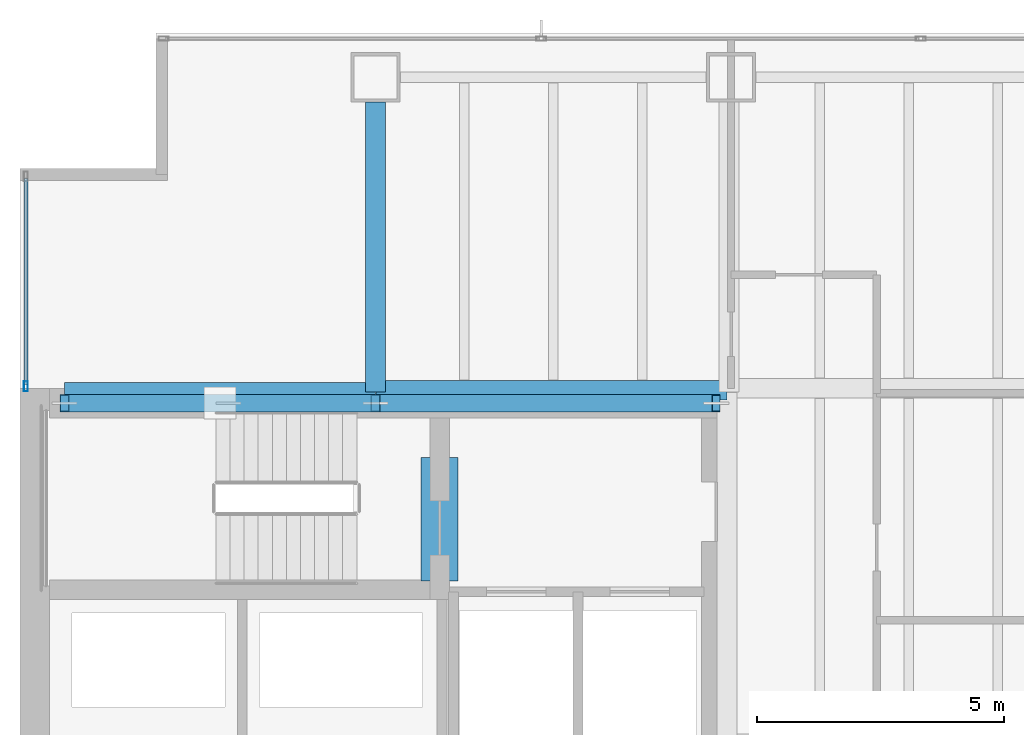
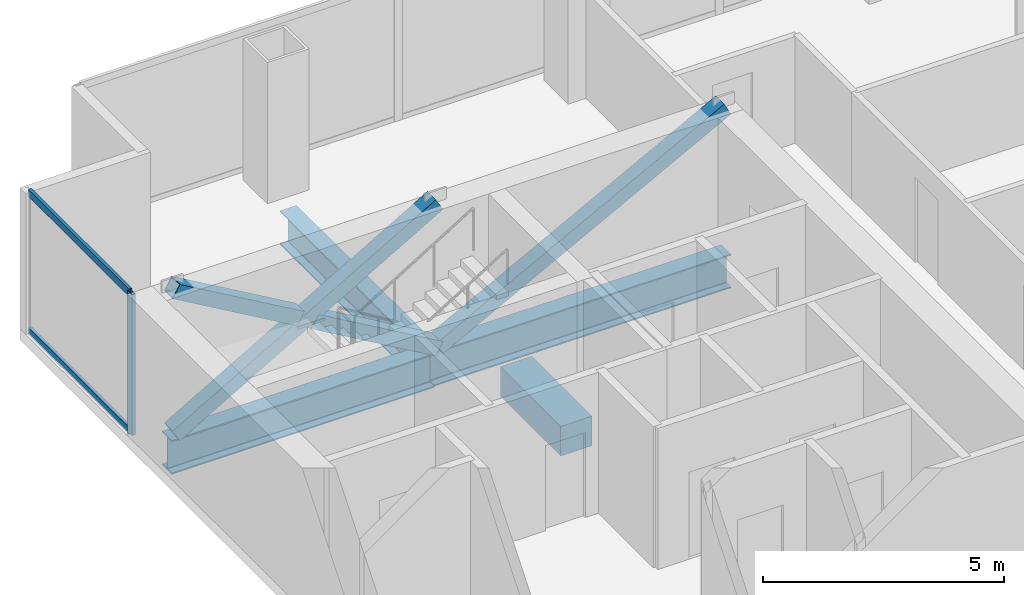
# One storey, part 14 of 24: 7 members, 4 beams, 1 element without a shape of its own.
"""IFC4 building model written with IfcOpenShell, lengths in metres."""

from ifc_helpers import new_model, si_unit, direction, frame, origin, origin_2d, place, context, subcontext, project, spatial, rectangle, hollow_rectangle, i_section, extrude, material, material_profile, profile_set, type_object, element, aggregate, save


model = new_model("IFC4")

# Units and contexts
model_context = context("Model", 3, precision=1e-05, world=origin(), true_north=direction((0.0, 1.0)))
body_context = subcontext(model_context, "Body", "Model", "MODEL_VIEW")
ifc_project = project(units=[si_unit("LENGTHUNIT", "METRE"), si_unit("AREAUNIT", "SQUARE_METRE"), si_unit("VOLUMEUNIT", "CUBIC_METRE"), si_unit("PLANEANGLEUNIT", "RADIAN"), si_unit("MASSUNIT", "GRAM", prefix="KILO")], contexts=[model_context])

# Site, building, storey
site_placement = place(None, origin())
site = spatial("IfcSite", under=ifc_project, at=site_placement, CompositionType="ELEMENT")
building_placement = place(site_placement, origin())
building = spatial("IfcBuilding", under=site, at=building_placement, Name="Cobrela Telecom Tower", CompositionType="ELEMENT")
storey_placement = place(building_placement, frame((0.0, 0.0, 69.64990234375)))
storey = spatial("IfcBuildingStorey", under=building, at=storey_placement, Name="L17", CompositionType="ELEMENT", Elevation=69.64990234375)

# Beams
ifc_material_1 = material(Name="Concrete C40/50", Category="concrete")
ifc_material_profile_1 = material_profile(ifc_material_1, rectangle(XDim=0.75, YDim=0.75, at=origin_2d()), Name="RC 750x750")
ifc_profile_set_1 = profile_set([ifc_material_profile_1], Name="Concrete C40/50")
beam_type_1 = type_object("IfcBeamType", Name="BM-COUP-RC", PredefinedType="LINTEL", material=ifc_profile_set_1)
beam_1_placement = place(storey_placement, frame((8.5, 32.10009765625, -0.6298828125), z_axis=(0.0, 1.0, 0.0), x_axis=(-1.0, 0.0, 0.0)))
element("IfcBeam", 1, at=beam_1_placement, inside=storey, type_object=beam_type_1, Name="L17 Core Coupling Lintel Beam", PredefinedType="LINTEL", context=body_context, shape_type="SweptSolid", body=[
    extrude(rectangle(XDim=0.75, YDim=0.75, at=origin_2d()), origin(), (0.0, 0.0, 1.0), 2.5),
])
ifc_material_2 = material(Name="Steel ASTM A992 Grade 50", Category="steel")
ifc_material_profile_2 = material_profile(ifc_material_2, i_section(OverallWidth=0.39892578125, OverallDepth=0.85595703125, WebThickness=0.018310546875, FlangeThickness=0.029296875, FilletRadius=0.02001953125, at=origin_2d()), Name="W33X201")
ifc_profile_set_2 = profile_set([ifc_material_profile_2], Name="Steel ASTM A992 Grade 50")
beam_type_2 = type_object("IfcBeamType", Name="BM-GIRD-03", PredefinedType="USERDEFINED", material=ifc_profile_set_2)
beam_2_placement = place(storey_placement, frame((0.905029296875, 35.919921875, -0.7080078125), z_axis=(1.0, 0.0, 0.0), x_axis=(0.0, 1.0, 0.0)))
element("IfcBeam", 2, at=beam_2_placement, inside=storey, type_object=beam_type_2, Name="L17 Primary Girder X25", ObjectType="GIRDER", PredefinedType="USERDEFINED", context=body_context, shape_type="SweptSolid", body=[
    extrude(i_section(OverallWidth=0.39892578125, OverallDepth=0.85595703125, WebThickness=0.018310546875, FlangeThickness=0.029296875, FilletRadius=0.02001953125, at=origin_2d()), origin(), (0.0, 0.0, 1.0), 6.2900390625),
])
beam_3_placement = place(storey_placement, frame((7.205078125, 35.9599609375, -0.7080078125), z_axis=(1.0, 0.0, 0.0), x_axis=(0.0, 1.0, 0.0)))
element("IfcBeam", 3, at=beam_3_placement, inside=storey, type_object=beam_type_2, Name="L17 Primary Girder X26", ObjectType="GIRDER", PredefinedType="USERDEFINED", context=body_context, shape_type="SweptSolid", body=[
    extrude(i_section(OverallWidth=0.39892578125, OverallDepth=0.85595703125, WebThickness=0.018310546875, FlangeThickness=0.029296875, FilletRadius=0.02001953125, at=origin_2d()), origin(), (0.0, 0.0, 1.0), 7.10986328125),
])
beam_4_placement = place(storey_placement, frame((7.199951171875, 35.925048828125, -0.7080078125), z_axis=(0.0, 1.0, 0.0), x_axis=(-1.0, 0.0, 0.0)))
element("IfcBeam", 4, at=beam_4_placement, inside=storey, type_object=beam_type_2, Name="L17 Primary Girder Y33", ObjectType="GIRDER", PredefinedType="USERDEFINED", context=body_context, shape_type="SweptSolid", body=[
    extrude(i_section(OverallWidth=0.39892578125, OverallDepth=0.85595703125, WebThickness=0.018310546875, FlangeThickness=0.029296875, FilletRadius=0.02001953125, at=origin_2d()), origin(), (0.0, 0.0, 1.0), 5.869873046875),
])

# Curtain wall, members
ifc_material_3 = material(Name="Anodized Bronze Aluminium 6063-T6", Category="aluminium")
curtain_wall_type = type_object("IfcCurtainWallType", Name="CW-SYS-DATA", PredefinedType="USERDEFINED", material=ifc_material_3)
curtain_wall_placement = place(storey_placement, origin())
curtain_wall = element("IfcCurtainWall", 5, at=curtain_wall_placement, inside=storey, type_object=curtain_wall_type, Name="L17 Unitised Bronze Curtain Wall 04", ObjectType="UNITISED CURTAIN WALL", PredefinedType="USERDEFINED")
ifc_material_profile_3 = material_profile(ifc_material_3, hollow_rectangle(XDim=0.080078125, YDim=0.199951171875, WallThickness=0.00390625, at=origin_2d()), Name="ALU 80x200x4")
ifc_profile_set_3 = profile_set([ifc_material_profile_3], Name="Anodized Bronze Aluminium 6063-T6")
member_type_1 = type_object("IfcMemberType", Name="CW-SYS-DATA-MUL", PredefinedType="MULLION", material=ifc_profile_set_3)
member_1_placement = place(storey_placement, frame((0.1201171875, 36.0400390625, 0.0), z_axis=(0.0, 0.0, 1.0), x_axis=(-1.0, 0.0, 0.0)))
member_1 = element("IfcMember", 6, at=member_1_placement, type_object=member_type_1, Name="CW-DATA mullion 1", PredefinedType="MULLION", context=body_context, shape_type="SweptSolid", body=[
    extrude(hollow_rectangle(XDim=0.080078125, YDim=0.199951171875, WallThickness=0.00390625, at=origin_2d()), origin(), (0.0, 0.0, 1.0), 3.570068359375),
])
ifc_material_profile_4 = material_profile(ifc_material_3, hollow_rectangle(XDim=0.074951171875, YDim=0.179931640625, WallThickness=0.00390625, at=origin_2d()), Name="ALU 75x180x4")
ifc_profile_set_4 = profile_set([ifc_material_profile_4], Name="Anodized Bronze Aluminium 6063-T6")
member_type_2 = type_object("IfcMemberType", Name="CW-SYS-DATA-TRN", PredefinedType="USERDEFINED", material=ifc_profile_set_4)
member_2_placement = place(storey_placement, frame((0.1201171875, 36.080078125, 0.03759765625), z_axis=(0.0, 1.0, 0.0), x_axis=(-1.0, 0.0, 0.0)))
member_2 = element("IfcMember", 7, at=member_2_placement, type_object=member_type_2, Name="CW-DATA transom 1.1", ObjectType="TRANSOM", PredefinedType="USERDEFINED", context=body_context, shape_type="SweptSolid", body=[
    extrude(hollow_rectangle(XDim=0.074951171875, YDim=0.179931640625, WallThickness=0.00390625, at=origin_2d()), origin(), (0.0, 0.0, 1.0), 4.169921875),
])
member_3_placement = place(storey_placement, frame((0.1201171875, 36.080078125, 3.53271484375), z_axis=(0.0, 1.0, 0.0), x_axis=(-1.0, 0.0, 0.0)))
member_3 = element("IfcMember", 8, at=member_3_placement, type_object=member_type_2, Name="CW-DATA transom 1.2", ObjectType="TRANSOM", PredefinedType="USERDEFINED", context=body_context, shape_type="SweptSolid", body=[
    extrude(hollow_rectangle(XDim=0.074951171875, YDim=0.179931640625, WallThickness=0.00390625, at=origin_2d()), origin(), (0.0, 0.0, 1.0), 4.169921875),
])
aggregate(curtain_wall, [member_1, member_2, member_3])

# Members
ifc_material_4 = material(Name="Steel ASTM A572 Grade 50", Category="steel")
ifc_material_profile_5 = material_profile(ifc_material_4, hollow_rectangle(XDim=0.35009765625, YDim=0.35009765625, WallThickness=0.01611328125, at=origin_2d()), Name="HSS 350x350x16")
ifc_profile_set_5 = profile_set([ifc_material_profile_5], Name="Steel ASTM A572 Grade 50")
member_type_3 = type_object("IfcMemberType", Name="MBR-EXO-02", PredefinedType="BRACE", material=ifc_profile_set_5)
member_4_placement = place(storey_placement, frame((0.89990234375, 35.699951171875, -0.039794921875), z_axis=(0.865277025542, 0.0, 0.501293994647), x_axis=(0.0, 1.0, 0.0)))
element("IfcMember", 9, at=member_4_placement, inside=storey, type_object=member_type_3, Name="L17 Core Flange Steel X-Brace Continuous A", PredefinedType="BRACE", context=body_context, shape_type="SweptSolid", body=[
    extrude(hollow_rectangle(XDim=0.35009765625, YDim=0.35009765625, WallThickness=0.01611328125, at=origin_2d()), origin(), (0.0, 0.0, 1.0), 7.281005859375),
])
member_5_placement = place(storey_placement, frame((7.199951171875, 35.699951171875, -0.039794921875), z_axis=(-0.865296850073, 0.0, 0.501259774223), x_axis=(0.0, -1.0, 0.0)))
element("IfcMember", 10, at=member_5_placement, inside=storey, type_object=member_type_3, Name="L17 Core Flange Steel X-Brace Split B1", PredefinedType="BRACE", context=body_context, shape_type="SweptSolid", body=[
    extrude(hollow_rectangle(XDim=0.35009765625, YDim=0.35009765625, WallThickness=0.01611328125, at=origin_2d()), origin(), (0.0, 0.0, 1.0), 3.4443359375),
])
member_6_placement = place(storey_placement, frame((3.88037109375, 35.699951171875, 1.88330078125), z_axis=(-0.865266106373, 0.0, 0.50131284161), x_axis=(0.0, -1.0, 0.0)))
element("IfcMember", 11, at=member_6_placement, inside=storey, type_object=member_type_3, Name="L17 Core Flange Steel X-Brace Split B2", PredefinedType="BRACE", context=body_context, shape_type="SweptSolid", body=[
    extrude(hollow_rectangle(XDim=0.35009765625, YDim=0.35009765625, WallThickness=0.01611328125, at=origin_2d()), origin(), (0.0, 0.0, 1.0), 3.444580078125),
])
member_7_placement = place(storey_placement, frame((7.199951171875, 35.699951171875, -0.039794921875), z_axis=(0.883952947778, 0.0, 0.467575861348), x_axis=(0.0, 1.0, 0.0)))
element("IfcMember", 12, at=member_7_placement, inside=storey, type_object=member_type_3, Name="L17 Core Flange Steel Brace N2", PredefinedType="BRACE", context=body_context, shape_type="SweptSolid", body=[
    extrude(hollow_rectangle(XDim=0.35009765625, YDim=0.35009765625, WallThickness=0.01611328125, at=origin_2d()), origin(), (0.0, 0.0, 1.0), 7.805908203125),
])

save(model, "model.ifc")
